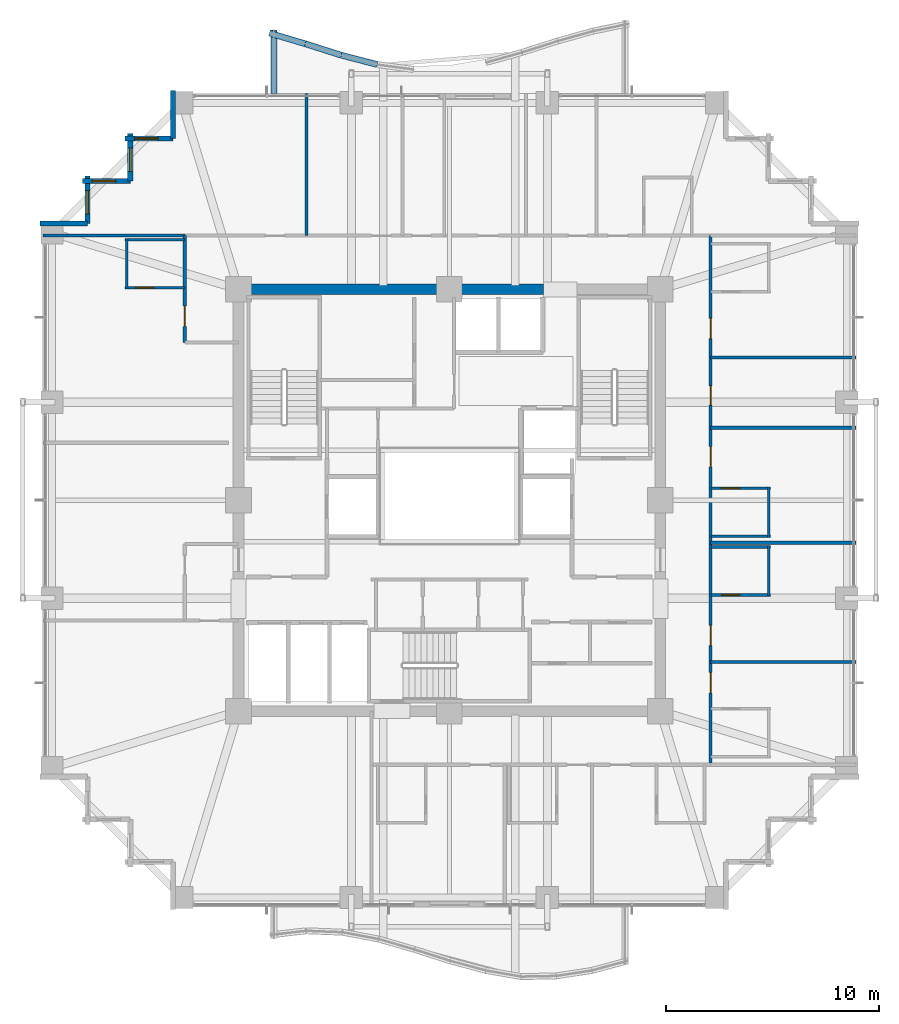
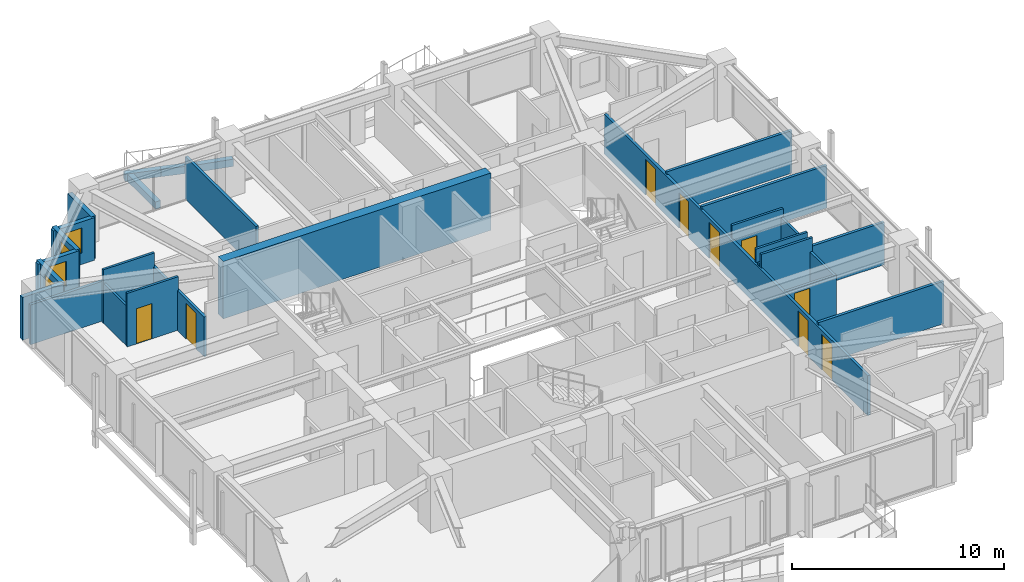
# One storey, part 30 of 34: 28 walls, 9 doors, 4 windows, 13 openings.
"""IFC4 building model written with IfcOpenShell, lengths in metres."""

import ifcopenshell
import ifcopenshell.guid

model = None  # the IFC model being written
_history = None  # IfcOwnerHistory: only IFC2X3 demands one
_inside = {}  # id of a spatial element -> (the spatial element, [elements in it])
_under = {}  # id of a project, library or spatial element -> (it, [spatial elements below it])
_declared = {}  # id of a project -> (the project, [libraries it declares])
_typed = {}  # id of a type object -> (the type object, [elements of that type])
_made_of = {}  # id of a material, layer set ... -> (it, [elements and type objects made of it])


def new_model(schema):
    """Start an empty IFC model of exactly this schema.

    Asked for "IFC4X3", IfcOpenShell would pick the latest addendum, in which some entities
    have other attributes; the version numbers below select the first issue.
    IFC2X3 requires an IfcOwnerHistory on every rooted entity: one is made here for all.
    """
    global model, _history
    if schema == "IFC4X3":
        model = ifcopenshell.file(schema_version=(4, 3, 0, 0))
    else:
        model = ifcopenshell.file(schema=schema)
    _inside.clear()
    _under.clear()
    _declared.clear()
    _typed.clear()
    _made_of.clear()
    _history = None
    if model.schema == "IFC2X3":
        org = make("IfcOrganization", Name="unknown")
        user = make(
            "IfcPersonAndOrganization",
            ThePerson=make("IfcPerson", FamilyName="unknown"),
            TheOrganization=org,
        )
        app = make(
            "IfcApplication",
            ApplicationDeveloper=org,
            Version="unknown",
            ApplicationFullName="unknown",
            ApplicationIdentifier="unknown",
        )
        _history = make(
            "IfcOwnerHistory",
            OwningUser=user,
            OwningApplication=app,
            ChangeAction="ADDED",
            CreationDate=0,
        )
    return model


def make(cls, **values):
    """One entity of the class cls with the attributes given. An attribute that is None is left unset."""
    return model.create_entity(
        cls, **{name: value for name, value in values.items() if value is not None}
    )


def rooted(cls, **values):
    """An entity with a GlobalId (a new one), such as an element, a storey or a relation."""
    return make(cls, GlobalId=ifcopenshell.guid.new(), OwnerHistory=_history, **values)


def si_unit(unit_type, name, prefix=None):
    """IfcSIUnit, for example si_unit("LENGTHUNIT", "METRE", prefix="MILLI")."""
    return make("IfcSIUnit", UnitType=unit_type, Prefix=prefix, Name=name)


def assignment(units):
    """IfcUnitAssignment: the units of a project."""
    return None if units is None else make("IfcUnitAssignment", Units=units)


def point(xyz):
    """IfcCartesianPoint."""
    return None if xyz is None else make("IfcCartesianPoint", Coordinates=xyz)


def direction(xyz):
    """IfcDirection."""
    return None if xyz is None else make("IfcDirection", DirectionRatios=xyz)


def frame(location, z_axis=None, x_axis=None):
    """IfcAxis2Placement3D, a coordinate frame: its origin and axes. An axis left out is left unset."""
    return make(
        "IfcAxis2Placement3D",
        Location=point(location),
        Axis=direction(z_axis),
        RefDirection=direction(x_axis),
    )


def frame_2d(location, x_axis=None):
    """IfcAxis2Placement2D, a coordinate frame in the plane: its origin and x axis."""
    return make(
        "IfcAxis2Placement2D", Location=point(location), RefDirection=direction(x_axis)
    )


def origin():
    """The frame at (0, 0, 0) with its axes left unset."""
    return frame((0.0, 0.0, 0.0))


def place(relative_to, where):
    """IfcLocalPlacement: puts the frame where relative to a parent placement (None: the world)."""
    return make(
        "IfcLocalPlacement", PlacementRelTo=relative_to, RelativePlacement=where
    )


def context(
    kind, dimensions, precision=None, world=None, true_north=None, identifier=None
):
    """IfcGeometricRepresentationContext, for example the 3D "Model" context."""
    return make(
        "IfcGeometricRepresentationContext",
        ContextIdentifier=identifier,
        ContextType=kind,
        CoordinateSpaceDimension=dimensions,
        Precision=precision,
        WorldCoordinateSystem=world,
        TrueNorth=true_north,
    )


def subcontext(parent, identifier, kind, view, scale=None):
    """IfcGeometricRepresentationSubContext, for example "Body" below "Model"."""
    return make(
        "IfcGeometricRepresentationSubContext",
        ContextIdentifier=identifier,
        ContextType=kind,
        ParentContext=parent,
        TargetScale=scale,
        TargetView=view,
    )


def project(units=None, contexts=None):
    """IfcProject with its units and contexts."""
    return rooted(
        "IfcProject",
        Name="project",
        RepresentationContexts=contexts,
        UnitsInContext=assignment(units),
    )


def spatial(cls, under=None, at=None, **own):
    """A site, building, storey or space (cls), placed at a placement, below another one or the project."""
    s = rooted(cls, ObjectPlacement=at, **own)
    if under is not None:
        _under.setdefault(under.id(), (under, []))[1].append(s)
    return s


def profile(cls, at=None, kind="AREA", **sizes):
    """A parametric profile (cls). Its sizes go by their IFC names, for example OverallWidth=200.0."""
    return make(cls, ProfileType=kind, Position=at, **sizes)


def rectangle(**sizes):
    """IfcRectangleProfileDef."""
    return profile("IfcRectangleProfileDef", **sizes)


def extrude(swept, where, along, depth):
    """IfcExtrudedAreaSolid: the profile swept, set in the frame where, extruded along a direction by depth."""
    return make(
        "IfcExtrudedAreaSolid",
        SweptArea=swept,
        Position=where,
        ExtrudedDirection=direction(along),
        Depth=depth,
    )


def shape(context_of_items, identifier, shape_type, items):
    """IfcShapeRepresentation: the items that make up one representation, for example the "Body"."""
    return make(
        "IfcShapeRepresentation",
        ContextOfItems=context_of_items,
        RepresentationIdentifier=identifier,
        RepresentationType=shape_type,
        Items=items,
    )


def material(Name=None, Category=None):
    """IfcMaterial."""
    return make("IfcMaterial", Name=Name, Category=Category)


def layer(
    of_material, thickness, ventilated=None, Name=None, Category=None, Priority=None
):
    """IfcMaterialLayer: one layer of a wall or slab, of a material (None: an air gap)."""
    return make(
        "IfcMaterialLayer",
        Material=of_material,
        LayerThickness=thickness,
        IsVentilated=ventilated,
        Name=Name,
        Category=Category,
        Priority=Priority,
    )


def layer_set(layers, Name=None):
    """IfcMaterialLayerSet."""
    return make("IfcMaterialLayerSet", MaterialLayers=layers, LayerSetName=Name)


def made_of(thing, what):
    """Note that an element or type object is made of a material, layer set ...; save() writes the relation."""
    if what is not None:
        _made_of.setdefault(what.id(), (what, []))[1].append(thing)
    return thing


def type_object(cls, material=None, **own):
    """A type object (cls), such as IfcWallType, which elements share."""
    return made_of(rooted(cls, **own), material)


def element(
    cls,
    number,
    at=None,
    inside=None,
    cuts=None,
    type_object=None,
    material=None,
    context=None,
    identifier="Body",
    shape_type=None,
    held_by="IfcProductDefinitionShape",
    body=None,
    shapes=None,
    **own,
):
    """One element of the class cls, such as IfcWall. Its Tag is "e" and its number.

    at: its placement. inside: the storey or other place that contains it. cuts: it is an
    opening in that element (IfcRelVoidsElement). A single representation is given by context,
    identifier, shape_type and body (its items); several are given by shapes. held_by: the class
    of the entity that holds the representations. save() writes the other relations.
    """
    e = rooted(cls, Tag="e%d" % number, ObjectPlacement=at, **own)
    if body is not None:
        shapes = [shape(context, identifier, shape_type, body)]
    if shapes is not None:
        e.Representation = make(held_by, Representations=shapes)
    if inside is not None:
        _inside.setdefault(inside.id(), (inside, []))[1].append(e)
    if cuts is not None:
        rooted(
            "IfcRelVoidsElement", RelatingBuildingElement=cuts, RelatedOpeningElement=e
        )
    if type_object is not None:
        _typed.setdefault(type_object.id(), (type_object, []))[1].append(e)
    return made_of(e, material)


def fill(opening, filler):
    """IfcRelFillsElement: the door or window that sits in an opening."""
    return rooted(
        "IfcRelFillsElement",
        RelatingOpeningElement=opening,
        RelatedBuildingElement=filler,
    )


def aggregate(whole, parts):
    """IfcRelAggregates: a whole, such as a stair, and the parts it consists of."""
    return rooted("IfcRelAggregates", RelatingObject=whole, RelatedObjects=parts)


def save(model, path):
    """Write the relations noted so far, then the file.

    IfcRelAggregates (storeys below a building ...), IfcRelContainedInSpatialStructure (elements
    in a storey), IfcRelDefinesByType, IfcRelAssociatesMaterial and IfcRelDeclares: one each for
    every whole, place, type object, material and project.
    """
    for whole, parts in _under.values():
        aggregate(whole, parts)
    for where, things in _inside.values():
        rooted(
            "IfcRelContainedInSpatialStructure",
            RelatedElements=things,
            RelatingStructure=where,
        )
    for kind, things in _typed.values():
        rooted("IfcRelDefinesByType", RelatedObjects=things, RelatingType=kind)
    for what, things in _made_of.values():
        rooted("IfcRelAssociatesMaterial", RelatedObjects=things, RelatingMaterial=what)
    for by, libraries in _declared.values():
        rooted("IfcRelDeclares", RelatingContext=by, RelatedDefinitions=libraries)
    model.write(path)


model = new_model("IFC4")

# Units and contexts
model_context = context("Model", 3, precision=1e-05, world=origin(), true_north=direction((0.0, 1.0)))
body_context = subcontext(model_context, "Body", "Model", "MODEL_VIEW")
ifc_project = project(units=[si_unit("LENGTHUNIT", "METRE"), si_unit("AREAUNIT", "SQUARE_METRE"), si_unit("VOLUMEUNIT", "CUBIC_METRE"), si_unit("PLANEANGLEUNIT", "RADIAN"), si_unit("MASSUNIT", "GRAM", prefix="KILO")], contexts=[model_context])

# Site, building, storey
site_placement = place(None, origin())
site = spatial("IfcSite", under=ifc_project, at=site_placement, CompositionType="ELEMENT")
building_placement = place(site_placement, origin())
building = spatial("IfcBuilding", under=site, at=building_placement, Name="Kolvaren Belvedere", CompositionType="ELEMENT")
storey_placement = place(building_placement, frame((0.0, 0.0, 111.800048828125)))
storey = spatial("IfcBuildingStorey", under=building, at=storey_placement, Name="L32", CompositionType="ELEMENT", Elevation=111.800048828125)

# Wall
ifc_material_1 = material(Name="Concrete C50/60", Category="concrete")
ifc_layer_1 = layer(ifc_material_1, 0.5)
ifc_layer_set_1 = layer_set([ifc_layer_1], Name="Concrete C50/60")
wall_type_1 = type_object("IfcWallType", Name="CW-CORE-500", PredefinedType="SHEAR", material=ifc_layer_set_1)
wall_1_placement = place(storey_placement, frame((-10.14990234375, 9.89990234375, 0.0), z_axis=(0.0, 0.0, 1.0), x_axis=(1.0, 0.0, 0.0)))
element("IfcWall", 1, at=wall_1_placement, inside=storey, type_object=wall_type_1, Name="L32 North Core Shear Wall 1", PredefinedType="SHEAR", context=body_context, shape_type="SweptSolid", body=[
    extrude(rectangle(XDim=14.56982421875, YDim=0.5, at=frame_2d((7.284912109375, 0.0))), origin(), (0.0, 0.0, 1.0), 3.300048828125),
])

# Wall, opening, door
ifc_material_2 = material(Name="Gypsum fire-rated partition assembly", Category="gypsum")
ifc_layer_2 = layer(ifc_material_2, 0.14990234375)
ifc_layer_set_2 = layer_set([ifc_layer_2], Name="Gypsum fire-rated partition assembly")
wall_type_2 = type_object("IfcWallType", Name="WL-CORR-150", PredefinedType="PARTITIONING", material=ifc_layer_set_2)
wall_2_placement = place(storey_placement, frame((-12.419921875, 7.39990234375, 0.0), z_axis=(0.0, 0.0, 1.0), x_axis=(0.0, 1.0, 0.0)))
wall_2 = element("IfcWall", 2, at=wall_2_placement, inside=storey, type_object=wall_type_2, Name="L32 NW Corridor End Wall", PredefinedType="PARTITIONING", context=body_context, shape_type="SweptSolid", body=[
    extrude(rectangle(XDim=5.02001953125, YDim=0.14990234375, at=frame_2d((2.510009765625, 0.0))), origin(), (0.0, 0.0, 1.0), 2.2919921875),
])
opening_1_placement = place(wall_2_placement, frame((0.763671875, 0.0, 0.0)))
opening_1 = element("IfcOpeningElement", 3, at=opening_1_placement, cuts=wall_2, Name="Opening D-FD60", PredefinedType="OPENING", context=body_context, shape_type="SweptSolid", body=[
    extrude(rectangle(XDim=0.949951171875, YDim=2.06005859375, at=frame_2d((0.47509765625, 1.030029296875))), frame((0.0, 0.0849609375, 0.0), z_axis=(0.0, -1.0, 0.0), x_axis=(1.0, 0.0, 0.0)), (0.0, 0.0, 1.0), 0.169921875),
])
ifc_material_3 = material(Name="Acoustic white-oak fire door leaf", Category="timber")
door_type_1 = type_object("IfcDoorType", Name="DR-FD60-950", OperationType="NOTDEFINED", PredefinedType="DOOR", material=ifc_material_3)
door_1_placement = place(opening_1_placement, origin())
door_1 = element("IfcDoor", 4, at=door_1_placement, inside=storey, type_object=door_type_1, Name="L32 King Guest Room 3210 Entry Door", OperationType="SINGLE_SWING_RIGHT", OverallHeight=2.06005859375, OverallWidth=0.949951171875, PredefinedType="DOOR", context=body_context, shape_type="SweptSolid", body=[
    extrude(rectangle(XDim=0.949951171875, YDim=2.06005859375, at=frame_2d((0.47509765625, 1.030029296875))), frame((0.0, 0.02490234375, 0.0), z_axis=(0.0, -1.0, 0.0), x_axis=(1.0, 0.0, 0.0)), (0.0, 0.0, 1.0), 0.050048828125),
])
fill(opening_1, door_1)

# Wall, openings, doors
wall_3_placement = place(storey_placement, frame((12.260009765625, -12.419921875, 0.0), z_axis=(0.0, 0.0, 1.0), x_axis=(0.0, 1.0, 0.0)))
wall_3 = element("IfcWall", 5, at=wall_3_placement, inside=storey, type_object=wall_type_2, Name="L32 East Corridor Wall", PredefinedType="PARTITIONING", context=body_context, shape_type="SweptSolid", body=[
    extrude(rectangle(XDim=24.83984375, YDim=0.14990234375, at=frame_2d((12.419921875, 0.0))), origin(), (0.0, 0.0, 1.0), 2.2919921875),
])
opening_2_placement = place(wall_3_placement, frame((3.37255859375, 0.0, 0.0)))
opening_2 = element("IfcOpeningElement", 6, at=opening_2_placement, cuts=wall_3, Name="Opening D-FD60", PredefinedType="OPENING", context=body_context, shape_type="SweptSolid", body=[
    extrude(rectangle(XDim=0.949951171875, YDim=2.06005859375, at=frame_2d((0.47509765625, 1.030029296875))), frame((0.0, 0.0849609375, 0.0), z_axis=(0.0, -1.0, 0.0), x_axis=(1.0, 0.0, 0.0)), (0.0, 0.0, 1.0), 0.169921875),
])
opening_3_placement = place(wall_3_placement, frame((5.593017578125, 0.0, 0.0)))
opening_3 = element("IfcOpeningElement", 7, at=opening_3_placement, cuts=wall_3, Name="Opening D-FD60", PredefinedType="OPENING", context=body_context, shape_type="SweptSolid", body=[
    extrude(rectangle(XDim=0.949951171875, YDim=2.06005859375, at=frame_2d((0.47509765625, 1.030029296875))), frame((0.0, 0.0849609375, 0.0), z_axis=(0.0, -1.0, 0.0), x_axis=(1.0, 0.0, 0.0)), (0.0, 0.0, 1.0), 0.169921875),
])
opening_4_placement = place(wall_3_placement, frame((13.9814453125, 0.0, 0.0)))
opening_4 = element("IfcOpeningElement", 8, at=opening_4_placement, cuts=wall_3, Name="Opening D-FD60", PredefinedType="OPENING", context=body_context, shape_type="SweptSolid", body=[
    extrude(rectangle(XDim=0.949951171875, YDim=2.06005859375, at=frame_2d((0.47509765625, 1.030029296875))), frame((0.0, 0.0849609375, 0.0), z_axis=(0.0, -1.0, 0.0), x_axis=(1.0, 0.0, 0.0)), (0.0, 0.0, 1.0), 0.169921875),
])
opening_5_placement = place(wall_3_placement, frame((16.88623046875, 0.0, 0.0)))
opening_5 = element("IfcOpeningElement", 9, at=opening_5_placement, cuts=wall_3, Name="Opening D-INT90", PredefinedType="OPENING", context=body_context, shape_type="SweptSolid", body=[
    extrude(rectangle(XDim=0.89990234375, YDim=2.06005859375, at=frame_2d((0.449951171875, 1.030029296875))), frame((0.0, 0.0849609375, 0.0), z_axis=(0.0, -1.0, 0.0), x_axis=(1.0, 0.0, 0.0)), (0.0, 0.0, 1.0), 0.169921875),
])
opening_6_placement = place(wall_3_placement, frame((20.0, 0.0, 0.0)))
opening_6 = element("IfcOpeningElement", 10, at=opening_6_placement, cuts=wall_3, Name="Opening D-FD60", PredefinedType="OPENING", context=body_context, shape_type="SweptSolid", body=[
    extrude(rectangle(XDim=0.949951171875, YDim=2.06005859375, at=frame_2d((0.47509765625, 1.030029296875))), frame((0.0, 0.0849609375, 0.0), z_axis=(0.0, -1.0, 0.0), x_axis=(1.0, 0.0, 0.0)), (0.0, 0.0, 1.0), 0.169921875),
])
door_2_placement = place(opening_2_placement, origin())
door_2 = element("IfcDoor", 11, at=door_2_placement, inside=storey, type_object=door_type_1, Name="L32 King Guest Room 3205 Entry Door", OperationType="SINGLE_SWING_LEFT", OverallHeight=2.06005859375, OverallWidth=0.949951171875, PredefinedType="DOOR", context=body_context, shape_type="SweptSolid", body=[
    extrude(rectangle(XDim=0.949951171875, YDim=2.06005859375, at=frame_2d((0.47509765625, 1.030029296875))), frame((0.0, 0.02490234375, 0.0), z_axis=(0.0, -1.0, 0.0), x_axis=(1.0, 0.0, 0.0)), (0.0, 0.0, 1.0), 0.050048828125),
])
fill(opening_2, door_2)
door_3_placement = place(opening_3_placement, origin())
door_3 = element("IfcDoor", 12, at=door_3_placement, inside=storey, type_object=door_type_1, Name="L32 Botanical Hospitality Suite 3206 Entry Door", OperationType="SINGLE_SWING_LEFT", OverallHeight=2.06005859375, OverallWidth=0.949951171875, PredefinedType="DOOR", context=body_context, shape_type="SweptSolid", body=[
    extrude(rectangle(XDim=0.949951171875, YDim=2.06005859375, at=frame_2d((0.47509765625, 1.030029296875))), frame((0.0, 0.02490234375, 0.0), z_axis=(0.0, -1.0, 0.0), x_axis=(1.0, 0.0, 0.0)), (0.0, 0.0, 1.0), 0.050048828125),
])
fill(opening_3, door_3)
door_4_placement = place(opening_4_placement, origin())
door_4 = element("IfcDoor", 13, at=door_4_placement, inside=storey, type_object=door_type_1, Name="L32 King Guest Room 3207 Entry Door", OperationType="SINGLE_SWING_LEFT", OverallHeight=2.06005859375, OverallWidth=0.949951171875, PredefinedType="DOOR", context=body_context, shape_type="SweptSolid", body=[
    extrude(rectangle(XDim=0.949951171875, YDim=2.06005859375, at=frame_2d((0.47509765625, 1.030029296875))), frame((0.0, 0.02490234375, 0.0), z_axis=(0.0, -1.0, 0.0), x_axis=(1.0, 0.0, 0.0)), (0.0, 0.0, 1.0), 0.050048828125),
])
fill(opening_4, door_4)
door_5_placement = place(opening_6_placement, origin())
door_5 = element("IfcDoor", 14, at=door_5_placement, inside=storey, type_object=door_type_1, Name="L32 Botanical Hospitality Suite 3209 Entry Door", OperationType="SINGLE_SWING_RIGHT", OverallHeight=2.06005859375, OverallWidth=0.949951171875, PredefinedType="DOOR", context=body_context, shape_type="SweptSolid", body=[
    extrude(rectangle(XDim=0.949951171875, YDim=2.06005859375, at=frame_2d((0.47509765625, 1.030029296875))), frame((0.0, 0.02490234375, 0.0), z_axis=(0.0, -1.0, 0.0), x_axis=(1.0, 0.0, 0.0)), (0.0, 0.0, 1.0), 0.050048828125),
])
fill(opening_6, door_5)
ifc_material_4 = material(Name="Stained Pacific white oak", Category="timber")
door_type_2 = type_object("IfcDoorType", Name="DR-INT-900", OperationType="NOTDEFINED", PredefinedType="DOOR", material=ifc_material_4)
door_6_placement = place(opening_5_placement, origin())
door_6 = element("IfcDoor", 15, at=door_6_placement, inside=storey, type_object=door_type_2, Name="L32 Lounge 3208 Door", OperationType="SINGLE_SWING_RIGHT", OverallHeight=2.06005859375, OverallWidth=0.89990234375, PredefinedType="DOOR", context=body_context, shape_type="SweptSolid", body=[
    extrude(rectangle(XDim=0.89990234375, YDim=2.06005859375, at=frame_2d((0.449951171875, 1.030029296875))), frame((0.0, 0.02490234375, 0.0), z_axis=(0.0, -1.0, 0.0), x_axis=(1.0, 0.0, 0.0)), (0.0, 0.0, 1.0), 0.050048828125),
])
fill(opening_5, door_6)

# Wall
ifc_material_5 = material(Name="Insulated pale-metal facade wall assembly", Category="aluminium")
ifc_layer_3 = layer(ifc_material_5, 0.239990234375)
ifc_layer_set_3 = layer_set([ifc_layer_3], Name="Insulated pale-metal facade wall assembly")
wall_type_3 = type_object("IfcWallType", Name="WL-EXT-240", PredefinedType="STANDARD", material=ifc_layer_set_3)
wall_4_placement = place(storey_placement, frame((-12.97998046875, 16.97998046875, 0.0), z_axis=(0.0, 0.0, 1.0), x_axis=(0.0, 1.0, 0.0)))
element("IfcWall", 16, at=wall_4_placement, inside=storey, type_object=wall_type_3, Name="L32 Serrated Corner Facade Wall 16", PredefinedType="STANDARD", context=body_context, shape_type="SweptSolid", body=[
    extrude(rectangle(XDim=2.239990234375, YDim=0.239990234375, at=frame_2d((1.1201171875, 0.0))), origin(), (0.0, 0.0, 1.0), 2.458984375),
])

# Wall, opening, window
wall_5_placement = place(storey_placement, frame((-15.219970703125, 16.97998046875, 0.0), z_axis=(0.0, 0.0, 1.0), x_axis=(1.0, 0.0, 0.0)))
wall_5 = element("IfcWall", 17, at=wall_5_placement, inside=storey, type_object=wall_type_3, Name="L32 Serrated Corner Facade Wall 17", PredefinedType="STANDARD", context=body_context, shape_type="SweptSolid", body=[
    extrude(rectangle(XDim=2.239990234375, YDim=0.239990234375, at=frame_2d((1.1201171875, 0.0))), origin(), (0.0, 0.0, 1.0), 2.458984375),
])
opening_7_placement = place(wall_5_placement, frame((0.449951171875, 0.0, 0.64990234375)))
opening_7 = element("IfcOpeningElement", 18, at=opening_7_placement, cuts=wall_5, Name="Opening W-1100", PredefinedType="OPENING", context=body_context, shape_type="SweptSolid", body=[
    extrude(rectangle(XDim=1.10009765625, YDim=1.449951171875, at=frame_2d((0.550048828125, 0.72509765625))), frame((0.0, 0.1298828125, 0.0), z_axis=(0.0, -1.0, 0.0), x_axis=(1.0, 0.0, 0.0)), (0.0, 0.0, 1.0), 0.260009765625),
])
ifc_material_6 = material(Name="Low-iron triple insulated glass", Category="glass")
window_type = type_object("IfcWindowType", Name="WN-CORN-1100", PartitioningType="SINGLE_PANEL", PredefinedType="WINDOW", material=ifc_material_6)
window_1_placement = place(opening_7_placement, origin())
window_1 = element("IfcWindow", 19, at=window_1_placement, inside=storey, type_object=window_type, Name="L32 Serrated Corner Vision Window 17", OverallHeight=1.449951171875, OverallWidth=1.10009765625, PartitioningType="SINGLE_PANEL", PredefinedType="WINDOW", context=body_context, shape_type="SweptSolid", body=[
    extrude(rectangle(XDim=1.10009765625, YDim=1.449951171875, at=frame_2d((0.550048828125, 0.72509765625))), frame((0.0, 0.030029296875, 0.0), z_axis=(0.0, -1.0, 0.0), x_axis=(1.0, 0.0, 0.0)), (0.0, 0.0, 1.0), 0.06005859375),
])
fill(opening_7, window_1)

wall_6_placement = place(storey_placement, frame((-14.97998046875, 14.97998046875, 0.0), z_axis=(0.0, 0.0, 1.0), x_axis=(0.0, 1.0, 0.0)))
wall_6 = element("IfcWall", 20, at=wall_6_placement, inside=storey, type_object=wall_type_3, Name="L32 Serrated Corner Facade Wall 18", PredefinedType="STANDARD", context=body_context, shape_type="SweptSolid", body=[
    extrude(rectangle(XDim=2.239990234375, YDim=0.239990234375, at=frame_2d((1.1201171875, 0.0))), origin(), (0.0, 0.0, 1.0), 2.458984375),
])
opening_8_placement = place(wall_6_placement, frame((0.449951171875, 0.0, 0.64990234375)))
opening_8 = element("IfcOpeningElement", 21, at=opening_8_placement, cuts=wall_6, Name="Opening W-1100", PredefinedType="OPENING", context=body_context, shape_type="SweptSolid", body=[
    extrude(rectangle(XDim=1.10009765625, YDim=1.449951171875, at=frame_2d((0.550048828125, 0.72509765625))), frame((0.0, 0.1298828125, 0.0), z_axis=(0.0, -1.0, 0.0), x_axis=(1.0, 0.0, 0.0)), (0.0, 0.0, 1.0), 0.260009765625),
])
window_2_placement = place(opening_8_placement, origin())
window_2 = element("IfcWindow", 22, at=window_2_placement, inside=storey, type_object=window_type, Name="L32 Serrated Corner Vision Window 18", OverallHeight=1.449951171875, OverallWidth=1.10009765625, PartitioningType="SINGLE_PANEL", PredefinedType="WINDOW", context=body_context, shape_type="SweptSolid", body=[
    extrude(rectangle(XDim=1.10009765625, YDim=1.449951171875, at=frame_2d((0.550048828125, 0.72509765625))), frame((0.0, 0.030029296875, 0.0), z_axis=(0.0, -1.0, 0.0), x_axis=(1.0, 0.0, 0.0)), (0.0, 0.0, 1.0), 0.06005859375),
])
fill(opening_8, window_2)

wall_7_placement = place(storey_placement, frame((-17.219970703125, 14.97998046875, 0.0), z_axis=(0.0, 0.0, 1.0), x_axis=(1.0, 0.0, 0.0)))
wall_7 = element("IfcWall", 23, at=wall_7_placement, inside=storey, type_object=wall_type_3, Name="L32 Serrated Corner Facade Wall 19", PredefinedType="STANDARD", context=body_context, shape_type="SweptSolid", body=[
    extrude(rectangle(XDim=2.239990234375, YDim=0.239990234375, at=frame_2d((1.1201171875, 0.0))), origin(), (0.0, 0.0, 1.0), 2.458984375),
])
opening_9_placement = place(wall_7_placement, frame((0.449951171875, 0.0, 0.64990234375)))
opening_9 = element("IfcOpeningElement", 24, at=opening_9_placement, cuts=wall_7, Name="Opening W-1100", PredefinedType="OPENING", context=body_context, shape_type="SweptSolid", body=[
    extrude(rectangle(XDim=1.10009765625, YDim=1.449951171875, at=frame_2d((0.550048828125, 0.72509765625))), frame((0.0, 0.1298828125, 0.0), z_axis=(0.0, -1.0, 0.0), x_axis=(1.0, 0.0, 0.0)), (0.0, 0.0, 1.0), 0.260009765625),
])
window_3_placement = place(opening_9_placement, origin())
window_3 = element("IfcWindow", 25, at=window_3_placement, inside=storey, type_object=window_type, Name="L32 Serrated Corner Vision Window 19", OverallHeight=1.449951171875, OverallWidth=1.10009765625, PartitioningType="SINGLE_PANEL", PredefinedType="WINDOW", context=body_context, shape_type="SweptSolid", body=[
    extrude(rectangle(XDim=1.10009765625, YDim=1.449951171875, at=frame_2d((0.550048828125, 0.72509765625))), frame((0.0, 0.030029296875, 0.0), z_axis=(0.0, -1.0, 0.0), x_axis=(1.0, 0.0, 0.0)), (0.0, 0.0, 1.0), 0.06005859375),
])
fill(opening_9, window_3)

wall_8_placement = place(storey_placement, frame((-16.97998046875, 12.97998046875, 0.0), z_axis=(0.0, 0.0, 1.0), x_axis=(0.0, 1.0, 0.0)))
wall_8 = element("IfcWall", 26, at=wall_8_placement, inside=storey, type_object=wall_type_3, Name="L32 Serrated Corner Facade Wall 20", PredefinedType="STANDARD", context=body_context, shape_type="SweptSolid", body=[
    extrude(rectangle(XDim=2.239990234375, YDim=0.239990234375, at=frame_2d((1.1201171875, 0.0))), origin(), (0.0, 0.0, 1.0), 2.458984375),
])
opening_10_placement = place(wall_8_placement, frame((0.449951171875, 0.0, 0.64990234375)))
opening_10 = element("IfcOpeningElement", 27, at=opening_10_placement, cuts=wall_8, Name="Opening W-1100", PredefinedType="OPENING", context=body_context, shape_type="SweptSolid", body=[
    extrude(rectangle(XDim=1.10009765625, YDim=1.449951171875, at=frame_2d((0.550048828125, 0.72509765625))), frame((0.0, 0.1298828125, 0.0), z_axis=(0.0, -1.0, 0.0), x_axis=(1.0, 0.0, 0.0)), (0.0, 0.0, 1.0), 0.260009765625),
])
window_4_placement = place(opening_10_placement, origin())
window_4 = element("IfcWindow", 28, at=window_4_placement, inside=storey, type_object=window_type, Name="L32 Serrated Corner Vision Window 20", OverallHeight=1.449951171875, OverallWidth=1.10009765625, PartitioningType="SINGLE_PANEL", PredefinedType="WINDOW", context=body_context, shape_type="SweptSolid", body=[
    extrude(rectangle(XDim=1.10009765625, YDim=1.449951171875, at=frame_2d((0.550048828125, 0.72509765625))), frame((0.0, 0.030029296875, 0.0), z_axis=(0.0, -1.0, 0.0), x_axis=(1.0, 0.0, 0.0)), (0.0, 0.0, 1.0), 0.06005859375),
])
fill(opening_10, window_4)

# Walls
wall_9_placement = place(storey_placement, frame((-19.219970703125, 12.97998046875, 0.0), z_axis=(0.0, 0.0, 1.0), x_axis=(1.0, 0.0, 0.0)))
element("IfcWall", 29, at=wall_9_placement, inside=storey, type_object=wall_type_3, Name="L32 Serrated Corner Facade Wall 21", PredefinedType="STANDARD", context=body_context, shape_type="SweptSolid", body=[
    extrude(rectangle(XDim=2.239990234375, YDim=0.239990234375, at=frame_2d((1.1201171875, 0.0))), origin(), (0.0, 0.0, 1.0), 2.458984375),
])
ifc_material_7 = material(Name="Gypsum acoustic partition assembly", Category="gypsum")
ifc_layer_4 = layer(ifc_material_7, 0.14990234375)
ifc_layer_set_4 = layer_set([ifc_layer_4], Name="Gypsum acoustic partition assembly")
wall_type_4 = type_object("IfcWallType", Name="WL-PART-150", PredefinedType="PARTITIONING", material=ifc_layer_set_4)
wall_10_placement = place(storey_placement, frame((-19.080078125, 12.419921875, 0.0), z_axis=(0.0, 0.0, 1.0), x_axis=(1.0, 0.0, 0.0)))
element("IfcWall", 30, at=wall_10_placement, inside=storey, type_object=wall_type_4, Name="L32 Wing Divider PW-L32-QNW", PredefinedType="PARTITIONING", context=body_context, shape_type="SweptSolid", body=[
    extrude(rectangle(XDim=6.66015625, YDim=0.14990234375, at=frame_2d((3.330078125, 0.0))), origin(), (0.0, 0.0, 1.0), 2.2919921875),
])
wall_11_placement = place(storey_placement, frame((-6.699951171875, 12.419921875, 0.0), z_axis=(0.0, 0.0, 1.0), x_axis=(0.0, 1.0, 0.0)))
element("IfcWall", 31, at=wall_11_placement, inside=storey, type_object=wall_type_4, Name="L32 North Suite Demising Wall 1", PredefinedType="PARTITIONING", context=body_context, shape_type="SweptSolid", body=[
    extrude(rectangle(XDim=6.66015625, YDim=0.14990234375, at=frame_2d((3.330078125, 0.0))), origin(), (0.0, 0.0, 1.0), 2.448974609375),
])
for number, where, z_axis, x_axis, name in (
    (32, (12.260009765625, -7.60009765625, 0.0), (0.0, 0.0, 1.0), (1.0, 0.0, 0.0), "L32 East Suite Demising Wall 1"),
    (33, (12.260009765625, -2.0, 0.0), (0.0, 0.0, 1.0), (1.0, 0.0, 0.0), "L32 East Suite Demising Wall 2"),
    (34, (12.260009765625, 3.39990234375, 0.0), (0.0, 0.0, 1.0), (1.0, 0.0, 0.0), "L32 East Suite Demising Wall 3"),
    (35, (12.260009765625, 6.699951171875, 0.0), (0.0, 0.0, 1.0), (1.0, 0.0, 0.0), "L32 East Suite Demising Wall 4"),
):
    element("IfcWall", number, at=place(storey_placement, frame(where, z_axis=z_axis, x_axis=x_axis)), inside=storey, type_object=wall_type_4, Name=name, PredefinedType="PARTITIONING", context=body_context, shape_type="SweptSolid", body=[
        extrude(rectangle(XDim=6.820068359375, YDim=0.14990234375, at=frame_2d((3.41015625, 0.0))), origin(), (0.0, 0.0, 1.0), 2.448974609375),
    ])
ifc_material_8 = material(Name="Precast concrete C40/50", Category="concrete")
ifc_layer_5 = layer(ifc_material_8, 0.300048828125)
ifc_layer_set_5 = layer_set([ifc_layer_5], Name="Precast concrete C40/50")
wall_type_5 = type_object("IfcWallType", Name="WL-PLANTER-300", PredefinedType="PARAPET", material=ifc_layer_set_5)
wall_12_placement = place(storey_placement, frame((-3.400146484375, 20.452880859375, -0.0400390625), z_axis=(0.0, 0.0, 1.0), x_axis=(-0.968132209145, 0.250439664624, 0.0)))
element("IfcWall", 36, at=wall_12_placement, inside=storey, type_object=wall_type_5, Name="L32 Precast Structural Planter Wall BAL-N-19", PredefinedType="PARAPET", context=body_context, shape_type="SweptSolid", body=[
    extrude(rectangle(XDim=1.7353515625, YDim=0.280029296875, at=frame_2d((0.86767578125, 0.0))), origin(), (0.0, 0.0, 1.0), 0.419921875),
])
wall_13_placement = place(storey_placement, frame((-5.08837890625, 20.889892578125, -0.0400390625), z_axis=(0.0, 0.0, 1.0), x_axis=(-0.953181954832, 0.302397356111, 0.0)))
element("IfcWall", 37, at=wall_13_placement, inside=storey, type_object=wall_type_5, Name="L32 Precast Structural Planter Wall BAL-N-20", PredefinedType="PARAPET", context=body_context, shape_type="SweptSolid", body=[
    extrude(rectangle(XDim=1.762451171875, YDim=0.280029296875, at=frame_2d((0.88134765625, 0.0))), origin(), (0.0, 0.0, 1.0), 0.419921875),
])
wall_14_placement = place(storey_placement, frame((-6.765625, 21.422119140625, -0.0400390625), z_axis=(0.0, 0.0, 1.0), x_axis=(-0.95856309129, 0.284880325779, 0.0)))
element("IfcWall", 38, at=wall_14_placement, inside=storey, type_object=wall_type_5, Name="L32 Precast Structural Planter Wall BAL-N-21", PredefinedType="PARAPET", context=body_context, shape_type="SweptSolid", body=[
    extrude(rectangle(XDim=1.75244140625, YDim=0.280029296875, at=frame_2d((0.876220703125, 0.0))), origin(), (0.0, 0.0, 1.0), 0.419921875),
])
wall_15_placement = place(storey_placement, frame((-8.239990234375, 22.07470703125, -0.0400390625), z_axis=(0.0, 0.0, 1.0), x_axis=(0.0, -1.0, 0.0)))
element("IfcWall", 39, at=wall_15_placement, inside=storey, type_object=wall_type_5, Name="L32 Precast Structural Planter Wall BAL-N-22", PredefinedType="PARAPET", context=body_context, shape_type="SweptSolid", body=[
    extrude(rectangle(XDim=2.974609375, YDim=0.280029296875, at=frame_2d((1.4873046875, 0.0))), origin(), (0.0, 0.0, 1.0), 0.419921875),
])

# Wall, opening, door
ifc_material_9 = material(Name="Moisture-resistant gypsum partition", Category="gypsum")
ifc_layer_6 = layer(ifc_material_9, 0.125)
ifc_layer_set_6 = layer_set([ifc_layer_6], Name="Moisture-resistant gypsum partition")
wall_type_6 = type_object("IfcWallType", Name="WL-WET-125", PredefinedType="PARTITIONING", material=ifc_layer_set_6)
wall_16_placement = place(storey_placement, frame((12.27490234375, -4.445068359375, 0.0), z_axis=(0.0, 0.0, 1.0), x_axis=(1.0, 0.0, 0.0)))
wall_16 = element("IfcWall", 40, at=wall_16_placement, inside=storey, type_object=wall_type_6, Name="L32 Bathroom Partition PW-L32-BTH-6-N", PredefinedType="PARTITIONING", context=body_context, shape_type="SweptSolid", body=[
    extrude(rectangle(XDim=2.7900390625, YDim=0.125, at=frame_2d((1.39501953125, 0.0))), origin(), (0.0, 0.0, 1.0), 2.2919921875),
])
opening_11_placement = place(wall_16_placement, frame((0.5, 0.0, 0.0)))
opening_11 = element("IfcOpeningElement", 41, at=opening_11_placement, cuts=wall_16, Name="Opening D-BTH85", PredefinedType="OPENING", context=body_context, shape_type="SweptSolid", body=[
    extrude(rectangle(XDim=0.85009765625, YDim=2.030029296875, at=frame_2d((0.425048828125, 1.01513671875))), frame((0.0, 0.072509765625, 0.0), z_axis=(0.0, -1.0, 0.0), x_axis=(1.0, 0.0, 0.0)), (0.0, 0.0, 1.0), 0.14501953125),
])
ifc_material_10 = material(Name="Moisture-sealed Pacific white oak", Category="timber")
door_type_3 = type_object("IfcDoorType", Name="DR-BATH-850", OperationType="NOTDEFINED", PredefinedType="DOOR", material=ifc_material_10)
door_7_placement = place(opening_11_placement, origin())
door_7 = element("IfcDoor", 42, at=door_7_placement, inside=storey, type_object=door_type_3, Name="L32 En-Suite Bathroom 3206 Door", OperationType="SINGLE_SWING_RIGHT", OverallHeight=2.030029296875, OverallWidth=0.85009765625, PredefinedType="DOOR", context=body_context, shape_type="SweptSolid", body=[
    extrude(rectangle(XDim=0.85009765625, YDim=2.030029296875, at=frame_2d((0.425048828125, 1.01513671875))), frame((0.0, 0.02490234375, 0.0), z_axis=(0.0, -1.0, 0.0), x_axis=(1.0, 0.0, 0.0)), (0.0, 0.0, 1.0), 0.050048828125),
])
fill(opening_11, door_7)

# Walls
wall_17_placement = place(storey_placement, frame((14.985107421875, -4.5048828125, 0.0), z_axis=(0.0, 0.0, 1.0), x_axis=(0.0, 1.0, 0.0)))
element("IfcWall", 43, at=wall_17_placement, inside=storey, type_object=wall_type_6, Name="L32 Bathroom Partition PW-L32-BTH-6-V", PredefinedType="PARTITIONING", context=body_context, shape_type="SweptSolid", body=[
    extrude(rectangle(XDim=2.369873046875, YDim=0.125, at=frame_2d((1.18505859375, 0.0))), origin(), (0.0, 0.0, 1.0), 2.2919921875),
])
wall_18_placement = place(storey_placement, frame((12.27490234375, -2.195068359375, 0.0), z_axis=(0.0, 0.0, 1.0), x_axis=(1.0, 0.0, 0.0)))
element("IfcWall", 44, at=wall_18_placement, inside=storey, type_object=wall_type_6, Name="L32 Bathroom Partition PW-L32-BTH-6-S", PredefinedType="PARTITIONING", context=body_context, shape_type="SweptSolid", body=[
    extrude(rectangle(XDim=2.7900390625, YDim=0.125, at=frame_2d((1.39501953125, 0.0))), origin(), (0.0, 0.0, 1.0), 3.079833984375),
])

# Wall, opening, door
wall_19_placement = place(storey_placement, frame((12.27490234375, 0.55908203125, 0.0), z_axis=(0.0, 0.0, 1.0), x_axis=(1.0, 0.0, 0.0)))
wall_19 = element("IfcWall", 45, at=wall_19_placement, inside=storey, type_object=wall_type_6, Name="L32 Bathroom Partition PW-L32-BTH-7-N", PredefinedType="PARTITIONING", context=body_context, shape_type="SweptSolid", body=[
    extrude(rectangle(XDim=2.7900390625, YDim=0.125, at=frame_2d((1.39501953125, 0.0))), origin(), (0.0, 0.0, 1.0), 3.079833984375),
])
opening_12_placement = place(wall_19_placement, frame((0.5, 0.0, 0.0)))
opening_12 = element("IfcOpeningElement", 46, at=opening_12_placement, cuts=wall_19, Name="Opening D-BTH85", PredefinedType="OPENING", context=body_context, shape_type="SweptSolid", body=[
    extrude(rectangle(XDim=0.85009765625, YDim=2.030029296875, at=frame_2d((0.425048828125, 1.01513671875))), frame((0.0, 0.072509765625, 0.0), z_axis=(0.0, -1.0, 0.0), x_axis=(1.0, 0.0, 0.0)), (0.0, 0.0, 1.0), 0.14501953125),
])
door_8_placement = place(opening_12_placement, origin())
door_8 = element("IfcDoor", 47, at=door_8_placement, inside=storey, type_object=door_type_3, Name="L32 En-Suite Bathroom 3207 Door", OperationType="SINGLE_SWING_RIGHT", OverallHeight=2.030029296875, OverallWidth=0.85009765625, PredefinedType="DOOR", context=body_context, shape_type="SweptSolid", body=[
    extrude(rectangle(XDim=0.85009765625, YDim=2.030029296875, at=frame_2d((0.425048828125, 1.01513671875))), frame((0.0, 0.02490234375, 0.0), z_axis=(0.0, -1.0, 0.0), x_axis=(1.0, 0.0, 0.0)), (0.0, 0.0, 1.0), 0.050048828125),
])
fill(opening_12, door_8)

# Walls
wall_20_placement = place(storey_placement, frame((14.985107421875, -1.7509765625, 0.0), z_axis=(0.0, 0.0, 1.0), x_axis=(0.0, 1.0, 0.0)))
element("IfcWall", 48, at=wall_20_placement, inside=storey, type_object=wall_type_6, Name="L32 Bathroom Partition PW-L32-BTH-7-V", PredefinedType="PARTITIONING", context=body_context, shape_type="SweptSolid", body=[
    extrude(rectangle(XDim=2.369873046875, YDim=0.125, at=frame_2d((1.18505859375, 0.0))), origin(), (0.0, 0.0, 1.0), 2.60498046875),
])
wall_21_placement = place(storey_placement, frame((12.27490234375, -1.69091796875, 0.0), z_axis=(0.0, 0.0, 1.0), x_axis=(1.0, 0.0, 0.0)))
element("IfcWall", 49, at=wall_21_placement, inside=storey, type_object=wall_type_6, Name="L32 Bathroom Partition PW-L32-BTH-7-S", PredefinedType="PARTITIONING", context=body_context, shape_type="SweptSolid", body=[
    extrude(rectangle(XDim=2.7900390625, YDim=0.125, at=frame_2d((1.39501953125, 0.0))), origin(), (0.0, 0.0, 1.0), 3.079833984375),
])

# Wall, opening, door
wall_22_placement = place(storey_placement, frame((-15.22509765625, 9.97509765625, 0.0), z_axis=(0.0, 0.0, 1.0), x_axis=(1.0, 0.0, 0.0)))
wall_22 = element("IfcWall", 50, at=wall_22_placement, inside=storey, type_object=wall_type_6, Name="L32 Bathroom Partition PW-L32-BTH-10-N", PredefinedType="PARTITIONING", context=body_context, shape_type="SweptSolid", body=[
    extrude(rectangle(XDim=2.7900390625, YDim=0.125, at=frame_2d((1.39501953125, 0.0))), origin(), (0.0, 0.0, 1.0), 3.079833984375),
])
opening_13_placement = place(wall_22_placement, frame((0.5, 0.0, 0.0)))
opening_13 = element("IfcOpeningElement", 51, at=opening_13_placement, cuts=wall_22, Name="Opening D-BTH85", PredefinedType="OPENING", context=body_context, shape_type="SweptSolid", body=[
    extrude(rectangle(XDim=0.85009765625, YDim=2.030029296875, at=frame_2d((0.425048828125, 1.01513671875))), frame((0.0, 0.072509765625, 0.0), z_axis=(0.0, -1.0, 0.0), x_axis=(1.0, 0.0, 0.0)), (0.0, 0.0, 1.0), 0.14501953125),
])
door_9_placement = place(opening_13_placement, origin())
door_9 = element("IfcDoor", 52, at=door_9_placement, inside=storey, type_object=door_type_3, Name="L32 En-Suite Bathroom 3210 Door", OperationType="SINGLE_SWING_LEFT", OverallHeight=2.030029296875, OverallWidth=0.85009765625, PredefinedType="DOOR", context=body_context, shape_type="SweptSolid", body=[
    extrude(rectangle(XDim=0.85009765625, YDim=2.030029296875, at=frame_2d((0.425048828125, 1.01513671875))), frame((0.0, 0.02490234375, 0.0), z_axis=(0.0, -1.0, 0.0), x_axis=(1.0, 0.0, 0.0)), (0.0, 0.0, 1.0), 0.050048828125),
])
fill(opening_13, door_9)

# Walls
wall_23_placement = place(storey_placement, frame((-15.14501953125, 9.9150390625, 0.0), z_axis=(0.0, 0.0, 1.0), x_axis=(0.0, 1.0, 0.0)))
element("IfcWall", 53, at=wall_23_placement, inside=storey, type_object=wall_type_6, Name="L32 Bathroom Partition PW-L32-BTH-10-V", PredefinedType="PARTITIONING", context=body_context, shape_type="SweptSolid", body=[
    extrude(rectangle(XDim=2.369873046875, YDim=0.125, at=frame_2d((1.18505859375, 0.0))), origin(), (0.0, 0.0, 1.0), 2.2919921875),
])
wall_24_placement = place(storey_placement, frame((-15.22509765625, 12.22509765625, 0.0), z_axis=(0.0, 0.0, 1.0), x_axis=(1.0, 0.0, 0.0)))
element("IfcWall", 54, at=wall_24_placement, inside=storey, type_object=wall_type_6, Name="L32 Bathroom Partition PW-L32-BTH-10-S", PredefinedType="PARTITIONING", context=body_context, shape_type="SweptSolid", body=[
    extrude(rectangle(XDim=2.7900390625, YDim=0.125, at=frame_2d((1.39501953125, 0.0))), origin(), (0.0, 0.0, 1.0), 3.079833984375),
])

save(model, "model.ifc")
